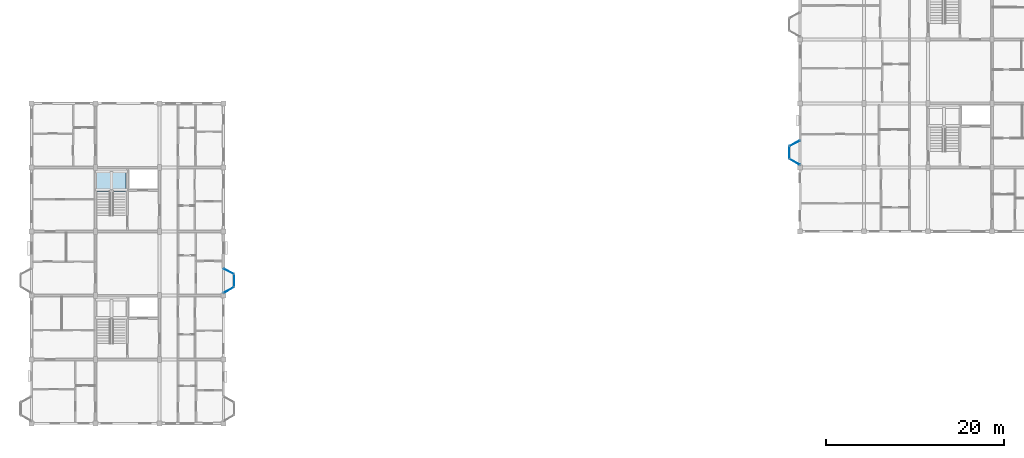
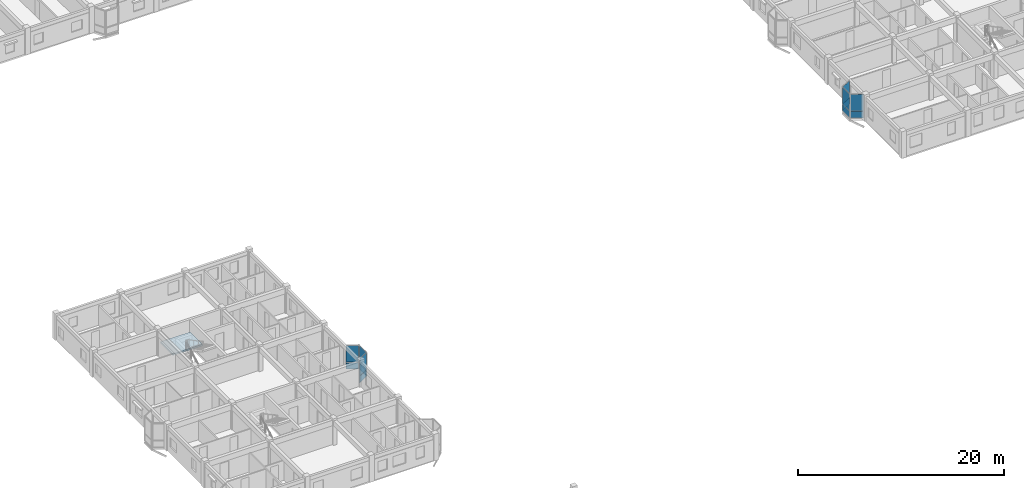
# One storey, part 47 of 77: 12 plates, 1 slab, 7 elements without a shape of their own.
"""IFC4 building model written with IfcOpenShell, lengths in metres."""

from ifc_helpers import new_model, si_unit, direction, frame, origin, origin_2d, place, context, subcontext, project, spatial, polyline, rectangle, outline, extrude, material, layer, layer_set, type_object, element, aggregate, save


model = new_model("IFC4")

# Units and contexts
model_context = context("Model", 3, precision=1e-05, world=origin(), true_north=direction((0.0, 1.0)))
body_context = subcontext(model_context, "Body", "Model", "MODEL_VIEW")
ifc_project = project(units=[si_unit("LENGTHUNIT", "METRE"), si_unit("AREAUNIT", "SQUARE_METRE"), si_unit("VOLUMEUNIT", "CUBIC_METRE"), si_unit("PLANEANGLEUNIT", "RADIAN"), si_unit("MASSUNIT", "GRAM", prefix="KILO"), si_unit("THERMODYNAMICTEMPERATUREUNIT", "KELVIN"), si_unit("POWERUNIT", "WATT")], contexts=[model_context])

# Site, building, storey
site_placement = place(None, origin())
site = spatial("IfcSite", under=ifc_project, at=site_placement, CompositionType="ELEMENT")
building_placement = place(site_placement, origin())
building = spatial("IfcBuilding", under=site, at=building_placement, Name="Tavuni Mirador Residences", CompositionType="ELEMENT")
storey_placement = place(building_placement, frame((0.0, 0.0, 17.10009765625)))
storey = spatial("IfcBuildingStorey", under=building, at=storey_placement, Name="L05", CompositionType="ELEMENT", Elevation=17.10009765625)

# Curtain wall, plate
ifc_material_1 = material(Name="Anodised aluminium", Category="aluminium")
ifc_layer_1 = layer(ifc_material_1, 0.1650390625, Name="Anodised aluminium", Category="aluminium")
ifc_layer_set_1 = layer_set([ifc_layer_1], Name="Anodised aluminium")
curtain_wall_type_1 = type_object("IfcCurtainWallType", Name="CWT-MIR-A", PredefinedType="NOTDEFINED", material=ifc_layer_set_1)
curtain_wall_1_placement = place(storey_placement, origin())
curtain_wall_1 = element("IfcCurtainWall", 1, at=curtain_wall_1_placement, inside=storey, type_object=curtain_wall_type_1, Name="CW-MIR-B-E2-L05-MF", PredefinedType="NOTDEFINED")
ifc_material_2 = material(Name="Laminated solar-control glass", Category="glass")
ifc_layer_2 = layer(ifc_material_2, 0.02392578125, Name="Laminated solar-control glass", Category="glass")
ifc_layer_set_2 = layer_set([ifc_layer_2], Name="Laminated solar-control glass")
plate_type_1 = type_object("IfcPlateType", Name="CWP-GL24", PredefinedType="CURTAIN_PANEL", material=ifc_layer_set_2)
plate_1_placement = place(storey_placement, frame((26.39990234375, 80.8701171875, 0.8798828125), z_axis=(0.0, 0.0, 1.0), x_axis=(0.0, 1.0, 0.0)))
plate_1 = element("IfcPlate", 2, at=plate_1_placement, type_object=plate_type_1, Name="CW-01 panel 1.2", PredefinedType="CURTAIN_PANEL", context=body_context, shape_type="SweptSolid", body=[
    extrude(rectangle(XDim=1.300048828125, YDim=0.02392578125, at=origin_2d()), origin(), (0.0, 0.0, 1.0), 1.969970703125),
])

curtain_wall_2_placement = place(storey_placement, origin())
curtain_wall_2 = element("IfcCurtainWall", 3, at=curtain_wall_2_placement, inside=storey, type_object=curtain_wall_type_1, Name="CW-MIR-D-W1-L05-MF", PredefinedType="NOTDEFINED")
plate_2_placement = place(storey_placement, frame((88.800048828125, 95.27001953125, 0.8798828125), z_axis=(0.0, 0.0, 1.0), x_axis=(0.0, -1.0, 0.0)))
plate_2 = element("IfcPlate", 4, at=plate_2_placement, type_object=plate_type_1, Name="CW-01 panel 1.2", PredefinedType="CURTAIN_PANEL", context=body_context, shape_type="SweptSolid", body=[
    extrude(rectangle(XDim=1.300048828125, YDim=0.02392578125, at=origin_2d()), origin(), (0.0, 0.0, 1.0), 1.949951171875),
])

ifc_layer_3 = layer(ifc_material_1, 0.14990234375, Name="Anodised aluminium", Category="aluminium")
ifc_layer_set_3 = layer_set([ifc_layer_3], Name="Anodised aluminium")
curtain_wall_type_2 = type_object("IfcCurtainWallType", Name="CWT-MIR-B", PredefinedType="NOTDEFINED", material=ifc_layer_set_3)
curtain_wall_3_placement = place(storey_placement, origin())
curtain_wall_3 = element("IfcCurtainWall", 5, at=curtain_wall_3_placement, inside=storey, type_object=curtain_wall_type_2, Name="CW-MIR-B-E2-L05-M2", PredefinedType="NOTDEFINED")
ifc_layer_4 = layer(ifc_material_2, 0.028076171875, Name="Laminated solar-control glass", Category="glass")
ifc_layer_set_4 = layer_set([ifc_layer_4], Name="Laminated solar-control glass")
plate_type_2 = type_object("IfcPlateType", Name="CWP-GL28", PredefinedType="CURTAIN_PANEL", material=ifc_layer_set_4)
plate_3_placement = place(storey_placement, frame((25.800048828125, 81.89990234375, 0.882568359375), z_axis=(0.0, 0.0, 1.0), x_axis=(-0.882352941175, 0.470588235296, 0.0)))
plate_3 = element("IfcPlate", 6, at=plate_3_placement, type_object=plate_type_2, Name="CW-02 panel 1.2", PredefinedType="CURTAIN_PANEL", context=body_context, shape_type="SweptSolid", body=[
    extrude(rectangle(XDim=1.22998046875, YDim=0.028076171875, at=origin_2d()), origin(), (0.0, 0.0, 1.0), 1.96240234375),
])

curtain_wall_4_placement = place(storey_placement, origin())
curtain_wall_4 = element("IfcCurtainWall", 7, at=curtain_wall_4_placement, inside=storey, type_object=curtain_wall_type_2, Name="CW-MIR-D-W1-L05-M2", PredefinedType="NOTDEFINED")
plate_4_placement = place(storey_placement, frame((89.39990234375, 94.217529296875, 0.882568359375), z_axis=(0.0, 0.0, 1.0), x_axis=(0.868465738194, -0.495749192217, 0.0)))
plate_4 = element("IfcPlate", 8, at=plate_4_placement, type_object=plate_type_2, Name="CW-02 panel 1.2", PredefinedType="CURTAIN_PANEL", context=body_context, shape_type="SweptSolid", body=[
    extrude(rectangle(XDim=1.251708984375, YDim=0.028076171875, at=origin_2d()), origin(), (0.0, 0.0, 1.0), 1.9423828125),
])

ifc_layer_5 = layer(ifc_material_1, 0.159912109375, Name="Anodised aluminium", Category="aluminium")
ifc_layer_set_5 = layer_set([ifc_layer_5], Name="Anodised aluminium")
curtain_wall_type_3 = type_object("IfcCurtainWallType", Name="CWT-MIR-D", PredefinedType="NOTDEFINED", material=ifc_layer_set_5)
curtain_wall_5_placement = place(storey_placement, origin())
curtain_wall_5 = element("IfcCurtainWall", 9, at=curtain_wall_5_placement, inside=storey, type_object=curtain_wall_type_3, Name="CW-MIR-B-E2-L05-M1", PredefinedType="NOTDEFINED")
ifc_layer_6 = layer(ifc_material_2, 0.035888671875, Name="Laminated solar-control glass", Category="glass")
ifc_layer_set_6 = layer_set([ifc_layer_6], Name="Laminated solar-control glass")
plate_type_3 = type_object("IfcPlateType", Name="CWP-GL36", PredefinedType="CURTAIN_PANEL", material=ifc_layer_set_6)
plate_5_placement = place(storey_placement, frame((25.800048828125, 79.8173828125, 0.882568359375), z_axis=(0.0, 0.0, 1.0), x_axis=(0.868465738194, 0.495749192217, 0.0)))
plate_5 = element("IfcPlate", 10, at=plate_5_placement, type_object=plate_type_3, Name="CW-04 panel 1.2", PredefinedType="CURTAIN_PANEL", context=body_context, shape_type="SweptSolid", body=[
    extrude(rectangle(XDim=1.251708984375, YDim=0.035888671875, at=origin_2d()), origin(), (0.0, 0.0, 1.0), 1.96240234375),
])

curtain_wall_6_placement = place(storey_placement, origin())
curtain_wall_6 = element("IfcCurtainWall", 11, at=curtain_wall_6_placement, inside=storey, type_object=curtain_wall_type_3, Name="CW-MIR-D-W1-L05-M1", PredefinedType="NOTDEFINED")
plate_6_placement = place(storey_placement, frame((89.39990234375, 96.300048828125, 0.882568359375), z_axis=(0.0, 0.0, 1.0), x_axis=(-0.882352941175, -0.470588235296, 0.0)))
plate_6 = element("IfcPlate", 12, at=plate_6_placement, type_object=plate_type_3, Name="CW-04 panel 1.2", PredefinedType="CURTAIN_PANEL", context=body_context, shape_type="SweptSolid", body=[
    extrude(rectangle(XDim=1.22998046875, YDim=0.035888671875, at=origin_2d()), origin(), (0.0, 0.0, 1.0), 1.9423828125),
])

# Plate
ifc_material_3 = material(Name="Ceramic trencadis mosaic panel", Category="masonry")
ifc_layer_7 = layer(ifc_material_3, 0.0419921875, Name="Ceramic trencadis mosaic panel", Category="masonry")
ifc_layer_set_7 = layer_set([ifc_layer_7], Name="Ceramic trencadis mosaic panel")
plate_type_4 = type_object("IfcPlateType", Name="CWP-SP42", PredefinedType="CURTAIN_PANEL", material=ifc_layer_set_7)
plate_7_placement = place(storey_placement, frame((26.39990234375, 80.8701171875, 0.06005859375), z_axis=(0.0, 0.0, 1.0), x_axis=(0.0, 1.0, 0.0)))
plate_7 = element("IfcPlate", 13, at=plate_7_placement, type_object=plate_type_4, Name="CW-01 panel 1.1", PredefinedType="CURTAIN_PANEL", context=body_context, shape_type="SweptSolid", body=[
    extrude(rectangle(XDim=1.300048828125, YDim=0.0419921875, at=origin_2d()), origin(), (0.0, 0.0, 1.0), 0.760009765625),
])

aggregate(curtain_wall_1, [plate_7, plate_1])

plate_8_placement = place(storey_placement, frame((88.800048828125, 95.27001953125, 0.06005859375), z_axis=(0.0, 0.0, 1.0), x_axis=(0.0, -1.0, 0.0)))
plate_8 = element("IfcPlate", 14, at=plate_8_placement, type_object=plate_type_4, Name="CW-01 panel 1.1", PredefinedType="CURTAIN_PANEL", context=body_context, shape_type="SweptSolid", body=[
    extrude(rectangle(XDim=1.300048828125, YDim=0.0419921875, at=origin_2d()), origin(), (0.0, 0.0, 1.0), 0.760009765625),
])

aggregate(curtain_wall_2, [plate_8, plate_2])

ifc_layer_8 = layer(ifc_material_3, 0.048095703125, Name="Ceramic trencadis mosaic panel", Category="masonry")
ifc_layer_set_8 = layer_set([ifc_layer_8], Name="Ceramic trencadis mosaic panel")
plate_type_5 = type_object("IfcPlateType", Name="CWP-SP48", PredefinedType="CURTAIN_PANEL", material=ifc_layer_set_8)
plate_9_placement = place(storey_placement, frame((25.800048828125, 79.8173828125, 0.06494140625), z_axis=(0.0, 0.0, 1.0), x_axis=(0.868465738194, 0.495749192217, 0.0)))
plate_9 = element("IfcPlate", 15, at=plate_9_placement, type_object=plate_type_5, Name="CW-04 panel 1.1", PredefinedType="CURTAIN_PANEL", context=body_context, shape_type="SweptSolid", body=[
    extrude(rectangle(XDim=1.251708984375, YDim=0.048095703125, at=origin_2d()), origin(), (0.0, 0.0, 1.0), 0.75244140625),
])

aggregate(curtain_wall_5, [plate_9, plate_5])

plate_10_placement = place(storey_placement, frame((25.800048828125, 81.89990234375, 0.06494140625), z_axis=(0.0, 0.0, 1.0), x_axis=(-0.882352941175, 0.470588235296, 0.0)))
plate_10 = element("IfcPlate", 16, at=plate_10_placement, type_object=plate_type_5, Name="CW-02 panel 1.1", PredefinedType="CURTAIN_PANEL", context=body_context, shape_type="SweptSolid", body=[
    extrude(rectangle(XDim=1.22998046875, YDim=0.048095703125, at=origin_2d()), origin(), (0.0, 0.0, 1.0), 0.75244140625),
])

aggregate(curtain_wall_3, [plate_10, plate_3])

plate_11_placement = place(storey_placement, frame((89.39990234375, 96.300048828125, 0.06494140625), z_axis=(0.0, 0.0, 1.0), x_axis=(-0.882352941175, -0.470588235296, 0.0)))
plate_11 = element("IfcPlate", 17, at=plate_11_placement, type_object=plate_type_5, Name="CW-04 panel 1.1", PredefinedType="CURTAIN_PANEL", context=body_context, shape_type="SweptSolid", body=[
    extrude(rectangle(XDim=1.22998046875, YDim=0.048095703125, at=origin_2d()), origin(), (0.0, 0.0, 1.0), 0.75244140625),
])

aggregate(curtain_wall_6, [plate_11, plate_6])

plate_12_placement = place(storey_placement, frame((89.39990234375, 94.217529296875, 0.06494140625), z_axis=(0.0, 0.0, 1.0), x_axis=(0.868465738194, -0.495749192217, 0.0)))
plate_12 = element("IfcPlate", 18, at=plate_12_placement, type_object=plate_type_5, Name="CW-02 panel 1.1", PredefinedType="CURTAIN_PANEL", context=body_context, shape_type="SweptSolid", body=[
    extrude(rectangle(XDim=1.251708984375, YDim=0.048095703125, at=origin_2d()), origin(), (0.0, 0.0, 1.0), 0.75244140625),
])

aggregate(curtain_wall_4, [plate_12, plate_4])

# Stair, slab
ifc_material_4 = material(Name="Precast concrete C40/50", Category="concrete")
stair_type = type_object("IfcStairType", Name="STT-TYP", PredefinedType="HALF_TURN_STAIR", material=ifc_material_4)
stair_placement = place(storey_placement, origin())
stair = element("IfcStair", 19, at=stair_placement, inside=storey, type_object=stair_type, Name="Protected exit stair ST4 (L05)", PredefinedType="HALF_TURN_STAIR")
ifc_layer_9 = layer(ifc_material_4, 0.179931640625, Name="Precast concrete C40/50", Category="concrete")
ifc_layer_set_9 = layer_set([ifc_layer_9], Name="Precast concrete C40/50")
slab_type = type_object("IfcSlabType", Name="SLT-LND180", PredefinedType="LANDING", material=ifc_layer_set_9)
slab_placement = place(storey_placement, frame((0.0, 0.0, 1.39501953125)))
slab = element("IfcSlab", 20, at=slab_placement, type_object=slab_type, Name="ST4 landing 1", PredefinedType="LANDING", context=body_context, shape_type="SweptSolid", body=[
    extrude(outline(polyline([(10.93994140625, 90.89208984375), (14.260009765625, 90.89208984375), (14.260009765625, 93.300048828125), (10.93994140625, 93.300048828125), (10.93994140625, 90.89208984375)])), origin(), (0.0, 0.0, 1.0), 0.179931640625),
])
aggregate(stair, [slab])

save(model, "model.ifc")
